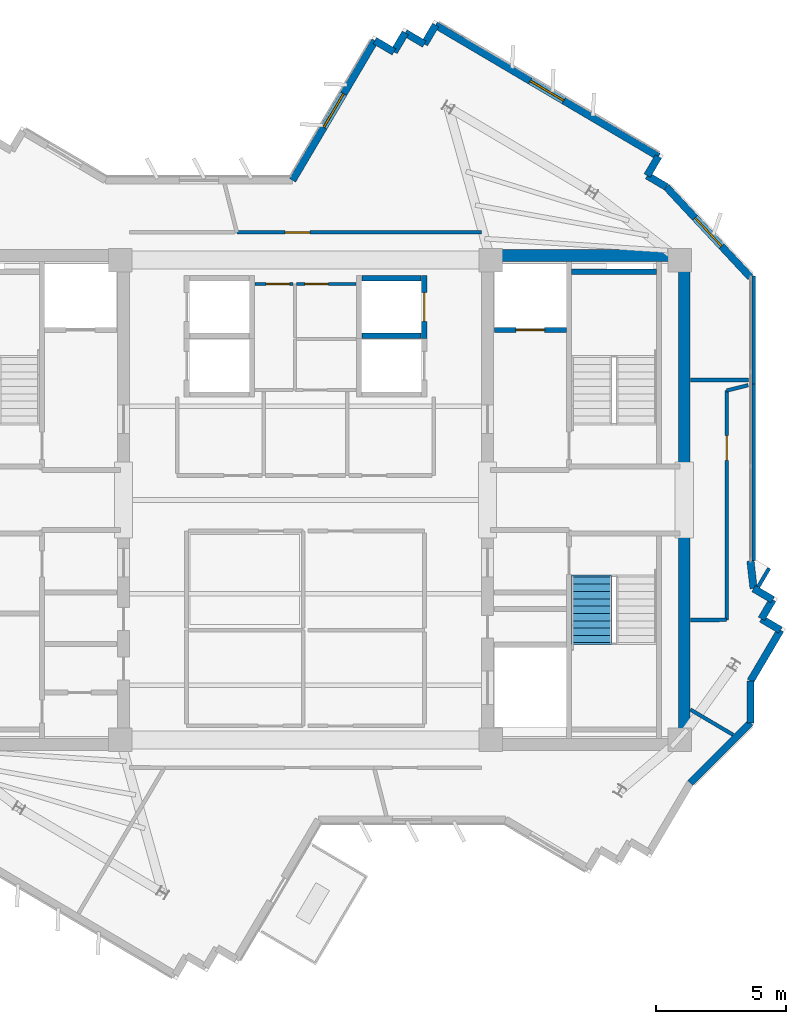
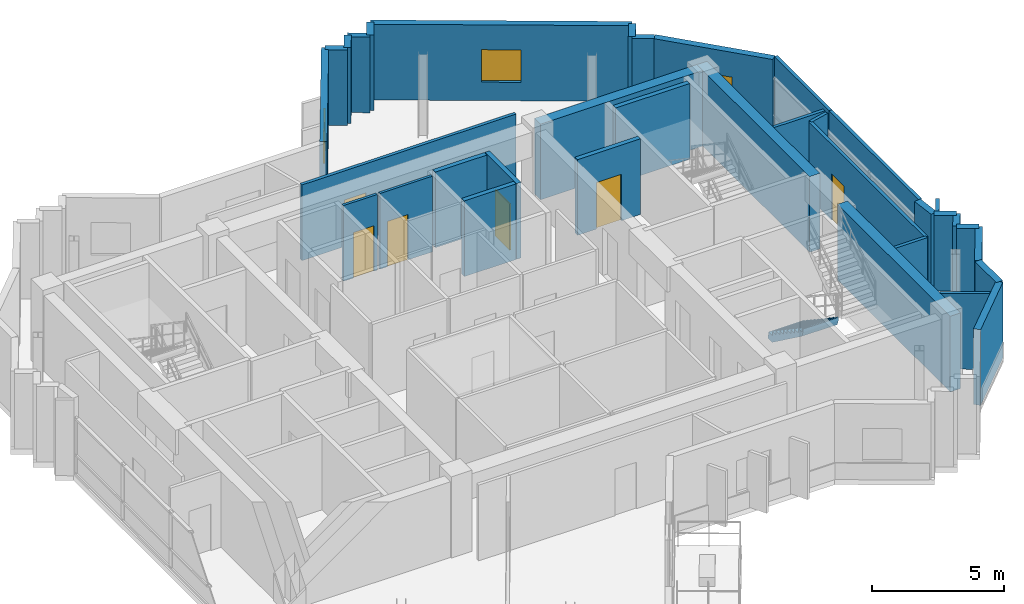
# One storey, part 7 of 10: 35 walls, 6 doors, 3 windows, 1 stair flight, 9 openings, 1 element without a shape of its own.
"""IFC4 building model written with IfcOpenShell, lengths in metres."""

from ifc_helpers import new_model, si_unit, direction, frame, frame_2d, origin, place, context, subcontext, project, spatial, polyline, rectangle, outline, extrude, source, transform, mapped, material, layer, layer_set, type_object, element, fill, aggregate, save


model = new_model("IFC4")

# Units and contexts
model_context = context("Model", 3, precision=1e-05, world=origin(), true_north=direction((0.0, 1.0)))
body_context = subcontext(model_context, "Body", "Model", "MODEL_VIEW")
ifc_project = project(units=[si_unit("LENGTHUNIT", "METRE"), si_unit("AREAUNIT", "SQUARE_METRE"), si_unit("VOLUMEUNIT", "CUBIC_METRE"), si_unit("PLANEANGLEUNIT", "RADIAN"), si_unit("MASSUNIT", "GRAM", prefix="KILO")], contexts=[model_context])

# Site, building, storey
site_placement = place(None, origin())
site = spatial("IfcSite", under=ifc_project, at=site_placement, CompositionType="ELEMENT")
building_placement = place(site_placement, origin())
building = spatial("IfcBuilding", under=site, at=building_placement, Name="Zahravan Cultural Tower", CompositionType="ELEMENT")
storey_placement = place(building_placement, frame((0.0, 0.0, 349.800048828125)))
storey = spatial("IfcBuildingStorey", under=building, at=storey_placement, Name="L85", CompositionType="ELEMENT", Elevation=349.800048828125)

# Wall, opening, window
ifc_material_1 = material(Name="Precast concrete C40/50", Category="concrete")
ifc_layer_1 = layer(ifc_material_1, 0.280029296875)
ifc_layer_set_1 = layer_set([ifc_layer_1], Name="Precast concrete C40/50")
wall_type_1 = type_object("IfcWallType", Name="EW-TC-280", PredefinedType="SOLIDWALL", material=ifc_layer_set_1)
wall_1_placement = place(storey_placement, frame((35.502685546875, 39.260009765625, 0.0), z_axis=(0.0, 0.0, 1.0), x_axis=(0.508266003384, 0.861200133421, 0.0)))
wall_1 = element("IfcWall", 1, at=wall_1_placement, inside=storey, type_object=wall_type_1, Name="L85 Exterior Masonry Frame Wall 01", PredefinedType="SOLIDWALL", context=body_context, shape_type="SweptSolid", body=[
    extrude(rectangle(XDim=6.214599609375, YDim=0.280029296875, at=frame_2d((3.107421875, 0.0))), origin(), (0.0, 0.0, 1.0), 3.5),
])
opening_1_placement = place(wall_1_placement, frame((2.35693359375, 0.0, 0.85009765625)))
opening_1 = element("IfcOpeningElement", 2, at=opening_1_placement, cuts=wall_1, Name="Opening WN-03", PredefinedType="OPENING", context=body_context, shape_type="SweptSolid", body=[
    extrude(rectangle(XDim=1.5, YDim=1.5, at=frame_2d((0.75, 0.75))), frame((0.0, 0.14990234375, 0.0), z_axis=(0.0, -1.0, 0.0), x_axis=(1.0, 0.0, 0.0)), (0.0, 0.0, 1.0), 0.300048828125),
])
ifc_material_2 = material(Name="Low-E solar-control double glazing", Category="glass")
window_type = type_object("IfcWindowType", Name="WN-REC-1500X1500", PartitioningType="SINGLE_PANEL", PredefinedType="WINDOW", material=ifc_material_2)
shared_shape_1 = source(origin(), body_context, "Body", "SweptSolid", [
    extrude(rectangle(XDim=1.5, YDim=1.5, at=frame_2d((0.75, 0.75))), frame((0.0, 0.030029296875, 0.0), z_axis=(0.0, -1.0, 0.0), x_axis=(1.0, 0.0, 0.0)), (0.0, 0.0, 1.0), 0.06005859375),
])
window_1_placement = place(opening_1_placement, origin())
window_1 = element("IfcWindow", 3, at=window_1_placement, inside=storey, type_object=window_type, Name="L85 Recessed Solar Window 01", OverallHeight=1.5, OverallWidth=1.5, PartitioningType="SINGLE_PANEL", PredefinedType="WINDOW", context=body_context, shape_type="MappedRepresentation", body=[
    mapped(shared_shape_1, transform((0.0, 0.0, 0.0), x_axis=(1.0, 0.0, 0.0), y_axis=(0.0, 1.0, 0.0), z_axis=(0.0, 0.0, 1.0), scale=1.0)),
])
fill(opening_1, window_1)

wall_2_placement = place(storey_placement, frame((40.989501953125, 45.2119140625, 0.0), z_axis=(0.0, 0.0, 1.0), x_axis=(0.861192451778, -0.508279018848, 0.0)))
wall_2 = element("IfcWall", 4, at=wall_2_placement, inside=storey, type_object=wall_type_1, Name="L85 Exterior Masonry Frame Wall 06", PredefinedType="SOLIDWALL", context=body_context, shape_type="SweptSolid", body=[
    extrude(rectangle(XDim=9.920166015625, YDim=0.280029296875, at=frame_2d((4.9599609375, 0.0))), origin(), (0.0, 0.0, 1.0), 3.5),
])
opening_2_placement = place(wall_2_placement, frame((4.2099609375, 0.0, 0.85009765625)))
opening_2 = element("IfcOpeningElement", 5, at=opening_2_placement, cuts=wall_2, Name="Opening WN-03", PredefinedType="OPENING", context=body_context, shape_type="SweptSolid", body=[
    extrude(rectangle(XDim=1.5, YDim=1.5, at=frame_2d((0.75, 0.75))), frame((0.0, 0.14990234375, 0.0), z_axis=(0.0, -1.0, 0.0), x_axis=(1.0, 0.0, 0.0)), (0.0, 0.0, 1.0), 0.300048828125),
])
window_2_placement = place(opening_2_placement, origin())
window_2 = element("IfcWindow", 6, at=window_2_placement, inside=storey, type_object=window_type, Name="L85 Recessed Solar Window 02", OverallHeight=1.5, OverallWidth=1.5, PartitioningType="SINGLE_PANEL", PredefinedType="WINDOW", context=body_context, shape_type="MappedRepresentation", body=[
    mapped(shared_shape_1, transform((0.0, 0.0, 0.0), x_axis=(1.0, 0.0, 0.0), y_axis=(0.0, 1.0, 0.0), z_axis=(0.0, 0.0, 1.0), scale=1.0)),
])
fill(opening_2, window_2)

wall_3_placement = place(storey_placement, frame((49.83251953125, 39.005615234375, 0.0), z_axis=(0.0, 0.0, 1.0), x_axis=(0.681733754317, -0.731600361006, 0.0)))
wall_3 = element("IfcWall", 7, at=wall_3_placement, inside=storey, type_object=wall_type_1, Name="L85 Exterior Masonry Frame Wall 09", PredefinedType="SOLIDWALL", context=body_context, shape_type="SweptSolid", body=[
    extrude(rectangle(XDim=4.734375, YDim=0.280029296875, at=frame_2d((2.3671875, 0.0))), origin(), (0.0, 0.0, 1.0), 3.5),
])
opening_3_placement = place(wall_3_placement, frame((1.616943359375, 0.0, 0.85009765625)))
opening_3 = element("IfcOpeningElement", 8, at=opening_3_placement, cuts=wall_3, Name="Opening WN-03", PredefinedType="OPENING", context=body_context, shape_type="SweptSolid", body=[
    extrude(rectangle(XDim=1.5, YDim=1.5, at=frame_2d((0.75, 0.75))), frame((0.0, 0.14990234375, 0.0), z_axis=(0.0, -1.0, 0.0), x_axis=(1.0, 0.0, 0.0)), (0.0, 0.0, 1.0), 0.300048828125),
])
window_3_placement = place(opening_3_placement, origin())
window_3 = element("IfcWindow", 9, at=window_3_placement, inside=storey, type_object=window_type, Name="L85 Recessed Solar Window 03", OverallHeight=1.5, OverallWidth=1.5, PartitioningType="SINGLE_PANEL", PredefinedType="WINDOW", context=body_context, shape_type="MappedRepresentation", body=[
    mapped(shared_shape_1, transform((0.0, 0.0, 0.0), x_axis=(1.0, 0.0, 0.0), y_axis=(0.0, 1.0, 0.0), z_axis=(0.0, 0.0, 1.0), scale=1.0)),
])
fill(opening_3, window_3)

# Wall, opening, door
ifc_material_3 = material(Name="Gypsum plasterboard partition")
ifc_layer_2 = layer(ifc_material_3, 0.139892578125)
ifc_layer_set_2 = layer_set([ifc_layer_2], Name="Gypsum plasterboard partition")
wall_type_2 = type_object("IfcWallType", Name="W-PART-140", PredefinedType="PARTITIONING", material=ifc_layer_set_2)
wall_4_placement = place(storey_placement, frame((52.1474609375, 22.40234375, 0.0), z_axis=(0.0, 0.0, 1.0), x_axis=(0.000277685205, 0.999999961445, 0.0)))
wall_4 = element("IfcWall", 10, at=wall_4_placement, inside=storey, type_object=wall_type_2, Name="L85 Interior Wall 071", PredefinedType="PARTITIONING", context=body_context, shape_type="SweptSolid", body=[
    extrude(rectangle(XDim=8.7919921875, YDim=0.139892578125, at=frame_2d((4.39599609375, 0.0))), origin(), (0.0, 0.0, 1.0), 3.5),
])
opening_4_placement = place(wall_4_placement, frame((6.11669921875, 0.0, 0.0)))
opening_4 = element("IfcOpeningElement", 11, at=opening_4_placement, cuts=wall_4, Name="Opening D-L85-28", PredefinedType="OPENING", context=body_context, shape_type="SweptSolid", body=[
    extrude(rectangle(XDim=0.949951171875, YDim=2.14990234375, at=frame_2d((0.47509765625, 1.074951171875))), frame((0.0, 0.079833984375, 0.0), z_axis=(0.0, -1.0, 0.0), x_axis=(1.0, 0.0, 0.0)), (0.0, 0.0, 1.0), 0.159912109375),
])
ifc_material_4 = material(Name="Anodised bronze-aluminium mullion", Category="aluminium")
door_type_1 = type_object("IfcDoorType", Name="DR-ROOM-950", OperationType="NOTDEFINED", PredefinedType="DOOR", material=ifc_material_4)
shared_shape_2 = source(origin(), body_context, "Body", "SweptSolid", [
    extrude(rectangle(XDim=0.949951171875, YDim=2.14990234375, at=frame_2d((0.47509765625, 1.074951171875))), frame((0.0, 0.02490234375, 0.0), z_axis=(0.0, -1.0, 0.0), x_axis=(1.0, 0.0, 0.0)), (0.0, 0.0, 1.0), 0.050048828125),
])
door_1_placement = place(opening_4_placement, origin())
door_1 = element("IfcDoor", 12, at=door_1_placement, inside=storey, type_object=door_type_1, Name="L85 Door D-L85-28", OperationType="SINGLE_SWING_LEFT", OverallHeight=2.14990234375, OverallWidth=0.949951171875, PredefinedType="DOOR", context=body_context, shape_type="MappedRepresentation", body=[
    mapped(shared_shape_2, transform((0.0, 0.0, 0.0), x_axis=(1.0, 0.0, 0.0), y_axis=(0.0, 1.0, 0.0), z_axis=(0.0, 0.0, 1.0), scale=1.0)),
])
fill(opening_4, door_1)

wall_5_placement = place(storey_placement, frame((42.742431640625, 37.259765625, 0.0), z_axis=(0.0, 0.0, 1.0), x_axis=(-0.999999999661, 2.6043023e-05, 0.0)))
wall_5 = element("IfcWall", 13, at=wall_5_placement, inside=storey, type_object=wall_type_2, Name="L85 Interior Wall 089", PredefinedType="PARTITIONING", context=body_context, shape_type="SweptSolid", body=[
    extrude(rectangle(XDim=9.37451171875, YDim=0.139892578125, at=frame_2d((4.687255859375, 0.0))), origin(), (0.0, 0.0, 1.0), 3.5),
])
opening_5_placement = place(wall_5_placement, frame((6.571044921875, 0.0, 0.0)))
opening_5 = element("IfcOpeningElement", 14, at=opening_5_placement, cuts=wall_5, Name="Opening D-L85-23", PredefinedType="OPENING", context=body_context, shape_type="SweptSolid", body=[
    extrude(rectangle(XDim=0.949951171875, YDim=2.14990234375, at=frame_2d((0.47509765625, 1.074951171875))), frame((0.0, 0.079833984375, 0.0), z_axis=(0.0, -1.0, 0.0), x_axis=(1.0, 0.0, 0.0)), (0.0, 0.0, 1.0), 0.159912109375),
])
door_2_placement = place(opening_5_placement, origin())
door_2 = element("IfcDoor", 15, at=door_2_placement, inside=storey, type_object=door_type_1, Name="L85 Door D-L85-23", OperationType="SINGLE_SWING_RIGHT", OverallHeight=2.14990234375, OverallWidth=0.949951171875, PredefinedType="DOOR", context=body_context, shape_type="MappedRepresentation", body=[
    mapped(shared_shape_2, transform((0.0, 0.0, 0.0), x_axis=(1.0, 0.0, 0.0), y_axis=(0.0, 1.0, 0.0), z_axis=(0.0, 0.0, 1.0), scale=1.0)),
])
fill(opening_5, door_2)

ifc_material_5 = material(Name="Concrete C45/55", Category="concrete")
ifc_layer_3 = layer(ifc_material_5, 0.199951171875)
ifc_layer_set_3 = layer_set([ifc_layer_3], Name="Concrete C45/55")
wall_type_3 = type_object("IfcWallType", Name="W-SHAFT-200", PredefinedType="SOLIDWALL", material=ifc_layer_set_3)
wall_6_placement = place(storey_placement, frame((43.25, 33.52001953125, 0.0), z_axis=(0.0, 0.0, 1.0), x_axis=(1.0, 0.0, 0.0)))
wall_6 = element("IfcWall", 16, at=wall_6_placement, inside=storey, type_object=wall_type_3, Name="L85 Interior Wall 023", PredefinedType="SOLIDWALL", context=body_context, shape_type="SweptSolid", body=[
    extrude(rectangle(XDim=2.75, YDim=0.199951171875, at=frame_2d((1.375, 0.0))), origin(), (0.0, 0.0, 1.0), 3.5),
])
opening_6_placement = place(wall_6_placement, frame((0.820068359375, 0.0, 0.0)))
opening_6 = element("IfcOpeningElement", 17, at=opening_6_placement, cuts=wall_6, Name="Opening LD-L85-02", PredefinedType="OPENING", context=body_context, shape_type="SweptSolid", body=[
    extrude(rectangle(XDim=1.10009765625, YDim=2.14990234375, at=frame_2d((0.550048828125, 1.074951171875))), frame((0.0, 0.10986328125, 0.0), z_axis=(0.0, -1.0, 0.0), x_axis=(1.0, 0.0, 0.0)), (0.0, 0.0, 1.0), 0.219970703125),
])
ifc_material_6 = material(Name="Steel ASTM A572 Grade 50", Category="steel")
door_type_2 = type_object("IfcDoorType", Name="DR-LIFT-1100", OperationType="DOUBLE_DOOR_SLIDING", PredefinedType="DOOR", material=ifc_material_6)
shared_shape_3 = source(origin(), body_context, "Body", "SweptSolid", [
    extrude(rectangle(XDim=1.10009765625, YDim=2.14990234375, at=frame_2d((0.550048828125, 1.074951171875))), frame((0.0, 0.02490234375, 0.0), z_axis=(0.0, -1.0, 0.0), x_axis=(1.0, 0.0, 0.0)), (0.0, 0.0, 1.0), 0.050048828125),
])
door_3_placement = place(opening_6_placement, origin())
door_3 = element("IfcDoor", 18, at=door_3_placement, inside=storey, type_object=door_type_2, Name="L85 Door LD-L85-02", OperationType="DOUBLE_DOOR_SLIDING", OverallHeight=2.14990234375, OverallWidth=1.10009765625, PredefinedType="DOOR", context=body_context, shape_type="MappedRepresentation", body=[
    mapped(shared_shape_3, transform((0.0, 0.0, 0.0), x_axis=(1.0, 0.0, 0.0), y_axis=(0.0, 1.0, 0.0), z_axis=(0.0, 0.0, 1.0), scale=1.0)),
])
fill(opening_6, door_3)

wall_7_placement = place(storey_placement, frame((40.550048828125, 33.199951171875, 0.0), z_axis=(0.0, 0.0, 1.0), x_axis=(0.0, 1.0, 0.0)))
wall_7 = element("IfcWall", 19, at=wall_7_placement, inside=storey, type_object=wall_type_3, Name="L85 Interior Wall 038", PredefinedType="SOLIDWALL", context=body_context, shape_type="SweptSolid", body=[
    extrude(rectangle(XDim=2.400146484375, YDim=0.199951171875, at=frame_2d((1.2001953125, 0.0))), origin(), (0.0, 0.0, 1.0), 3.5),
])
opening_7_placement = place(wall_7_placement, frame((0.64990234375, 0.0, 0.0)))
opening_7 = element("IfcOpeningElement", 20, at=opening_7_placement, cuts=wall_7, Name="Opening LD-L85-06", PredefinedType="OPENING", context=body_context, shape_type="SweptSolid", body=[
    extrude(rectangle(XDim=1.10009765625, YDim=2.14990234375, at=frame_2d((0.550048828125, 1.074951171875))), frame((0.0, 0.10986328125, 0.0), z_axis=(0.0, -1.0, 0.0), x_axis=(1.0, 0.0, 0.0)), (0.0, 0.0, 1.0), 0.219970703125),
])
door_4_placement = place(opening_7_placement, origin())
door_4 = element("IfcDoor", 21, at=door_4_placement, inside=storey, type_object=door_type_2, Name="L85 Door LD-L85-06", OperationType="DOUBLE_DOOR_SLIDING", OverallHeight=2.14990234375, OverallWidth=1.10009765625, PredefinedType="DOOR", context=body_context, shape_type="MappedRepresentation", body=[
    mapped(shared_shape_3, transform((0.0, 0.0, 0.0), x_axis=(1.0, 0.0, 0.0), y_axis=(0.0, 1.0, 0.0), z_axis=(0.0, 0.0, 1.0), scale=1.0)),
])
fill(opening_7, door_4)

ifc_layer_4 = layer(ifc_material_3, 0.114990234375)
ifc_layer_set_4 = layer_set([ifc_layer_4], Name="Gypsum plasterboard partition")
wall_type_4 = type_object("IfcWallType", Name="W-WC-115", PredefinedType="PARTITIONING", material=ifc_layer_set_4)
wall_8_placement = place(storey_placement, frame((35.652587890625, 35.280029296875, 0.0), z_axis=(0.0, 0.0, 1.0), x_axis=(1.0, 0.0, 0.0)))
wall_8 = element("IfcWall", 22, at=wall_8_placement, inside=storey, type_object=wall_type_4, Name="L85 Interior Wall 048", PredefinedType="PARTITIONING", context=body_context, shape_type="SweptSolid", body=[
    extrude(rectangle(XDim=2.29248046875, YDim=0.114990234375, at=frame_2d((1.146240234375, 0.0))), origin(), (0.0, 0.0, 1.0), 3.5),
])
opening_8_placement = place(wall_8_placement, frame((0.3203125, 0.0, 0.0)))
opening_8 = element("IfcOpeningElement", 23, at=opening_8_placement, cuts=wall_8, Name="Opening D-L85-19", PredefinedType="OPENING", context=body_context, shape_type="SweptSolid", body=[
    extrude(rectangle(XDim=0.89990234375, YDim=2.10009765625, at=frame_2d((0.449951171875, 1.050048828125))), frame((0.0, 0.0673828125, 0.0), z_axis=(0.0, -1.0, 0.0), x_axis=(1.0, 0.0, 0.0)), (0.0, 0.0, 1.0), 0.135009765625),
])
door_type_3 = type_object("IfcDoorType", Name="DR-WC-900", OperationType="NOTDEFINED", PredefinedType="DOOR", material=ifc_material_4)
shared_shape_4 = source(origin(), body_context, "Body", "SweptSolid", [
    extrude(rectangle(XDim=0.89990234375, YDim=2.10009765625, at=frame_2d((0.449951171875, 1.050048828125))), frame((0.0, 0.02490234375, 0.0), z_axis=(0.0, -1.0, 0.0), x_axis=(1.0, 0.0, 0.0)), (0.0, 0.0, 1.0), 0.050048828125),
])
door_5_placement = place(opening_8_placement, origin())
door_5 = element("IfcDoor", 24, at=door_5_placement, inside=storey, type_object=door_type_3, Name="L85 Door D-L85-19", OperationType="SINGLE_SWING_RIGHT", OverallHeight=2.10009765625, OverallWidth=0.89990234375, PredefinedType="DOOR", context=body_context, shape_type="MappedRepresentation", body=[
    mapped(shared_shape_4, transform((0.0, 0.0, 0.0), x_axis=(1.0, 0.0, 0.0), y_axis=(0.0, 1.0, 0.0), z_axis=(0.0, 0.0, 1.0), scale=1.0)),
])
fill(opening_8, door_5)

wall_9_placement = place(storey_placement, frame((34.054931640625, 35.280029296875, 0.0), z_axis=(0.0, 0.0, 1.0), x_axis=(1.0, 0.0, 0.0)))
wall_9 = element("IfcWall", 25, at=wall_9_placement, inside=storey, type_object=wall_type_4, Name="L85 Interior Wall 050", PredefinedType="PARTITIONING", context=body_context, shape_type="SweptSolid", body=[
    extrude(rectangle(XDim=1.47265625, YDim=0.114990234375, at=frame_2d((0.736328125, 0.0))), origin(), (0.0, 0.0, 1.0), 3.5),
])
opening_9_placement = place(wall_9_placement, frame((0.4326171875, 0.0, 0.0)))
opening_9 = element("IfcOpeningElement", 26, at=opening_9_placement, cuts=wall_9, Name="Opening D-L85-18", PredefinedType="OPENING", context=body_context, shape_type="SweptSolid", body=[
    extrude(rectangle(XDim=0.89990234375, YDim=2.10009765625, at=frame_2d((0.449951171875, 1.050048828125))), frame((0.0, 0.0673828125, 0.0), z_axis=(0.0, -1.0, 0.0), x_axis=(1.0, 0.0, 0.0)), (0.0, 0.0, 1.0), 0.135009765625),
])
door_6_placement = place(opening_9_placement, origin())
door_6 = element("IfcDoor", 27, at=door_6_placement, inside=storey, type_object=door_type_3, Name="L85 Door D-L85-18", OperationType="SINGLE_SWING_LEFT", OverallHeight=2.10009765625, OverallWidth=0.89990234375, PredefinedType="DOOR", context=body_context, shape_type="MappedRepresentation", body=[
    mapped(shared_shape_4, transform((0.0, 0.0, 0.0), x_axis=(1.0, 0.0, 0.0), y_axis=(0.0, 1.0, 0.0), z_axis=(0.0, 0.0, 1.0), scale=1.0)),
])
fill(opening_9, door_6)

# Walls
ifc_material_7 = material(Name="Concrete C50/60", Category="concrete")
ifc_layer_5 = layer(ifc_material_7, 0.449951171875)
ifc_layer_set_5 = layer_set([ifc_layer_5], Name="Concrete C50/60")
wall_type_5 = type_object("IfcWallType", Name="CW-SHEAR-450-C50", PredefinedType="SHEAR", material=ifc_layer_set_5)
shared_shape_5 = source(origin(), body_context, "Body", "SweptSolid", [
    extrude(rectangle(XDim=8.550048828125, YDim=0.449951171875, at=frame_2d((4.27490234375, 0.0))), origin(), (0.0, 0.0, 1.0), 3.5),
])
for number, where, z_axis, x_axis, name in (
    (28, (50.52490234375, 17.39990234375, 0.0), (0.0, 0.0, 1.0), (0.0, 1.0, 0.0), "L85 Core Shear Wall CW-E-ES-L85"),
    (29, (50.52490234375, 28.050048828125, 0.0), (0.0, 0.0, 1.0), (0.0, 1.0, 0.0), "L85 Core Shear Wall CW-E-EN-L85"),
):
    element("IfcWall", number, at=place(storey_placement, frame(where, z_axis=z_axis, x_axis=x_axis)), inside=storey, type_object=wall_type_5, Name=name, PredefinedType="SHEAR", context=body_context, shape_type="MappedRepresentation", body=[
        mapped(shared_shape_5, transform((0.0, 0.0, 0.0), x_axis=(1.0, 0.0, 0.0), y_axis=(0.0, 1.0, 0.0), z_axis=(0.0, 0.0, 1.0), scale=1.0)),
    ])
shared_shape_6 = source(origin(), body_context, "Body", "SweptSolid", [
    extrude(rectangle(XDim=7.10009765625, YDim=0.449951171875, at=frame_2d((3.550048828125, 0.0))), origin(), (0.0, 0.0, 1.0), 3.5),
])
wall_10_placement = place(storey_placement, frame((43.199951171875, 36.375, 0.0), z_axis=(0.0, 0.0, 1.0), x_axis=(1.0, 0.0, 0.0)))
element("IfcWall", 30, at=wall_10_placement, inside=storey, type_object=wall_type_5, Name="L85 Core Shear Wall CW-E-N-L85", PredefinedType="SHEAR", context=body_context, shape_type="MappedRepresentation", body=[
    mapped(shared_shape_6, transform((0.0, 0.0, 0.0), x_axis=(1.0, 0.0, 0.0), y_axis=(0.0, 1.0, 0.0), z_axis=(0.0, 0.0, 1.0), scale=1.0)),
])
shared_shape_7 = source(origin(), body_context, "Body", "SweptSolid", [
    extrude(rectangle(XDim=0.85009765625, YDim=0.280029296875, at=frame_2d((0.425048828125, 0.0))), origin(), (0.0, 0.0, 1.0), 3.5),
])
for number, where, z_axis, x_axis, name in (
    (31, (38.661376953125, 44.612060546875, 0.0), (0.0, 0.0, 1.0), (0.861195099131, -0.508274533332, 0.0), "L85 Exterior Masonry Frame Wall 02"),
    (32, (39.3935546875, 44.179931640625, 0.0), (0.0, 0.0, 1.0), (0.508061511919, 0.861320788154, 0.0), "L85 Exterior Masonry Frame Wall 03"),
    (33, (39.825439453125, 44.912109375, 0.0), (0.0, 0.0, 1.0), (0.861195099131, -0.508274533332, 0.0), "L85 Exterior Masonry Frame Wall 04"),
    (34, (49.53271484375, 40.169677734375, 0.0), (0.0, 0.0, 1.0), (-0.508400256027, -0.861120885632, 0.0), "L85 Exterior Masonry Frame Wall 07"),
    (35, (49.1005859375, 39.437744140625, 0.0), (0.0, 0.0, 1.0), (0.861120885632, -0.508400256027, 0.0), "L85 Exterior Masonry Frame Wall 08"),
    (36, (53.179931640625, 23.6064453125, 0.0), (0.0, 0.0, 1.0), (0.861320788154, -0.508061511919, 0.0), "L85 Exterior Masonry Frame Wall 11"),
    (37, (53.912109375, 23.174560546875, 0.0), (0.0, 0.0, 1.0), (-0.508274533332, -0.861195099131, 0.0), "L85 Exterior Masonry Frame Wall 12"),
):
    element("IfcWall", number, at=place(storey_placement, frame(where, z_axis=z_axis, x_axis=x_axis)), inside=storey, type_object=wall_type_1, Name=name, PredefinedType="SOLIDWALL", context=body_context, shape_type="MappedRepresentation", body=[
        mapped(shared_shape_7, transform((0.0, 0.0, 0.0), x_axis=(1.0, 0.0, 0.0), y_axis=(0.0, 1.0, 0.0), z_axis=(0.0, 0.0, 1.0), scale=1.0)),
    ])
shared_shape_8 = source(origin(), body_context, "Body", "SweptSolid", [
    extrude(rectangle(XDim=0.849853515625, YDim=0.280029296875, at=frame_2d((0.4248046875, 0.0))), origin(), (0.0, 0.0, 1.0), 3.5),
])
for number, where, z_axis, x_axis, name in (
    (38, (40.5576171875, 44.47998046875, 0.0), (0.0, 0.0, 1.0), (0.508187218622, 0.861246626019, 0.0), "L85 Exterior Masonry Frame Wall 05"),
    (39, (53.47998046875, 22.4423828125, 0.0), (0.0, 0.0, 1.0), (0.861246626019, -0.508187218622, 0.0), "L85 Exterior Masonry Frame Wall 13"),
):
    element("IfcWall", number, at=place(storey_placement, frame(where, z_axis=z_axis, x_axis=x_axis)), inside=storey, type_object=wall_type_1, Name=name, PredefinedType="SOLIDWALL", context=body_context, shape_type="MappedRepresentation", body=[
        mapped(shared_shape_8, transform((0.0, 0.0, 0.0), x_axis=(1.0, 0.0, 0.0), y_axis=(0.0, 1.0, 0.0), z_axis=(0.0, 0.0, 1.0), scale=1.0)),
    ])
shared_shape_9 = source(origin(), body_context, "Body", "SweptSolid", [
    extrude(rectangle(XDim=1.064697265625, YDim=0.280029296875, at=frame_2d((0.5322265625, 0.0))), origin(), (0.0, 0.0, 1.0), 3.5),
])
wall_11_placement = place(storey_placement, frame((53.06005859375, 24.664306640625, 0.0), z_axis=(0.0, 0.0, 1.0), x_axis=(0.112595815397, -0.993640871923, 0.0)))
element("IfcWall", 40, at=wall_11_placement, inside=storey, type_object=wall_type_1, Name="L85 Exterior Masonry Frame Wall 10", PredefinedType="SOLIDWALL", context=body_context, shape_type="MappedRepresentation", body=[
    mapped(shared_shape_9, transform((0.0, 0.0, 0.0), x_axis=(1.0, 0.0, 0.0), y_axis=(0.0, 1.0, 0.0), z_axis=(0.0, 0.0, 1.0), scale=1.0)),
])
shared_shape_10 = source(origin(), body_context, "Body", "SweptSolid", [
    extrude(rectangle(XDim=2.266357421875, YDim=0.280029296875, at=frame_2d((1.13330078125, 0.0))), origin(), (0.0, 0.0, 1.0), 3.5),
])
wall_12_placement = place(storey_placement, frame((54.2119140625, 22.010498046875, 0.0), z_axis=(0.0, 0.0, 1.0), x_axis=(-0.508224770074, -0.861224467304, 0.0)))
element("IfcWall", 41, at=wall_12_placement, inside=storey, type_object=wall_type_1, Name="L85 Exterior Masonry Frame Wall 14", PredefinedType="SOLIDWALL", context=body_context, shape_type="MappedRepresentation", body=[
    mapped(shared_shape_10, transform((0.0, 0.0, 0.0), x_axis=(1.0, 0.0, 0.0), y_axis=(0.0, 1.0, 0.0), z_axis=(0.0, 0.0, 1.0), scale=1.0)),
])
shared_shape_11 = source(origin(), body_context, "Body", "SweptSolid", [
    extrude(rectangle(XDim=1.6005859375, YDim=0.280029296875, at=frame_2d((0.80029296875, 0.0))), origin(), (0.0, 0.0, 1.0), 3.5),
])
wall_13_placement = place(storey_placement, frame((53.06005859375, 20.05859375, 0.0), z_axis=(0.0, 0.0, 1.0), x_axis=(0.0, -1.0, 0.0)))
element("IfcWall", 42, at=wall_13_placement, inside=storey, type_object=wall_type_1, Name="L85 Exterior Masonry Frame Wall 15", PredefinedType="SOLIDWALL", context=body_context, shape_type="MappedRepresentation", body=[
    mapped(shared_shape_11, transform((0.0, 0.0, 0.0), x_axis=(1.0, 0.0, 0.0), y_axis=(0.0, 1.0, 0.0), z_axis=(0.0, 0.0, 1.0), scale=1.0)),
])
shared_shape_12 = source(origin(), body_context, "Body", "SweptSolid", [
    extrude(rectangle(XDim=3.2607421875, YDim=0.280029296875, at=frame_2d((1.63037109375, 0.0))), origin(), (0.0, 0.0, 1.0), 3.5),
])
wall_14_placement = place(storey_placement, frame((53.06005859375, 18.4580078125, 0.0), z_axis=(0.0, 0.0, 1.0), x_axis=(-0.707106781187, -0.707106781187, 0.0)))
element("IfcWall", 43, at=wall_14_placement, inside=storey, type_object=wall_type_1, Name="L85 Exterior Masonry Frame Wall 16", PredefinedType="SOLIDWALL", context=body_context, shape_type="MappedRepresentation", body=[
    mapped(shared_shape_12, transform((0.0, 0.0, 0.0), x_axis=(1.0, 0.0, 0.0), y_axis=(0.0, 1.0, 0.0), z_axis=(0.0, 0.0, 1.0), scale=1.0)),
])
shared_shape_13 = source(origin(), body_context, "Body", "SweptSolid", [
    extrude(rectangle(XDim=3.25, YDim=0.199951171875, at=frame_2d((1.625, 0.0))), origin(), (0.0, 0.0, 1.0), 3.5),
])
wall_15_placement = place(storey_placement, frame((46.199951171875, 35.75, 0.0), z_axis=(0.0, 0.0, 1.0), x_axis=(1.0, 0.0, 0.0)))
element("IfcWall", 44, at=wall_15_placement, inside=storey, type_object=wall_type_3, Name="L85 Interior Wall 018", PredefinedType="SOLIDWALL", context=body_context, shape_type="MappedRepresentation", body=[
    mapped(shared_shape_13, transform((0.0, 0.0, 0.0), x_axis=(1.0, 0.0, 0.0), y_axis=(0.0, 1.0, 0.0), z_axis=(0.0, 0.0, 1.0), scale=1.0)),
])
shared_shape_14 = source(origin(), body_context, "Body", "SweptSolid", [
    extrude(rectangle(XDim=2.260009765625, YDim=0.199951171875, at=frame_2d((1.1298828125, 0.0))), origin(), (0.0, 0.0, 1.0), 3.5),
])
for number, where, z_axis, x_axis, name in (
    (45, (38.169921875, 33.300048828125, 0.0), (0.0, 0.0, 1.0), (1.0, 0.0, 0.0), "L85 Interior Wall 039"),
    (46, (38.169921875, 35.5, 0.0), (0.0, 0.0, 1.0), (1.0, 0.0, 0.0), "L85 Interior Wall 040"),
):
    element("IfcWall", number, at=place(storey_placement, frame(where, z_axis=z_axis, x_axis=x_axis)), inside=storey, type_object=wall_type_3, Name=name, PredefinedType="SOLIDWALL", context=body_context, shape_type="MappedRepresentation", body=[
        mapped(shared_shape_14, transform((0.0, 0.0, 0.0), x_axis=(1.0, 0.0, 0.0), y_axis=(0.0, 1.0, 0.0), z_axis=(0.0, 0.0, 1.0), scale=1.0)),
    ])
shared_shape_15 = source(origin(), body_context, "Body", "SweptSolid", [
    extrude(rectangle(XDim=2.22265625, YDim=0.139892578125, at=frame_2d((1.111328125, 0.0))), origin(), (0.0, 0.0, 1.0), 3.5),
])
wall_16_placement = place(storey_placement, frame((52.9775390625, 31.598388671875, 0.0), z_axis=(0.0, 0.0, 1.0), x_axis=(-0.999999704402, 0.000768892567, 0.0)))
element("IfcWall", 47, at=wall_16_placement, inside=storey, type_object=wall_type_2, Name="L85 Interior Wall 088", PredefinedType="PARTITIONING", context=body_context, shape_type="MappedRepresentation", body=[
    mapped(shared_shape_15, transform((0.0, 0.0, 0.0), x_axis=(1.0, 0.0, 0.0), y_axis=(0.0, 1.0, 0.0), z_axis=(0.0, 0.0, 1.0), scale=1.0)),
])
shared_shape_16 = source(origin(), body_context, "Body", "SweptSolid", [
    extrude(rectangle(XDim=1.392578125, YDim=0.139892578125, at=frame_2d((0.6962890625, 0.0))), origin(), (0.0, 0.0, 1.0), 3.5),
])
wall_17_placement = place(storey_placement, frame((50.7548828125, 22.400146484375, 0.0), z_axis=(0.0, 0.0, 1.0), x_axis=(0.999998755213, 0.001577838148, 0.0)))
element("IfcWall", 48, at=wall_17_placement, inside=storey, type_object=wall_type_2, Name="L85 Interior Wall 070", PredefinedType="PARTITIONING", context=body_context, shape_type="MappedRepresentation", body=[
    mapped(shared_shape_16, transform((0.0, 0.0, 0.0), x_axis=(1.0, 0.0, 0.0), y_axis=(0.0, 1.0, 0.0), z_axis=(0.0, 0.0, 1.0), scale=1.0)),
])
shared_shape_17 = source(origin(), body_context, "Body", "SweptSolid", [
    extrude(rectangle(XDim=0.847900390625, YDim=0.139892578125, at=frame_2d((0.423828125, 0.0))), origin(), (0.0, 0.0, 1.0), 3.5),
])
wall_18_placement = place(storey_placement, frame((52.14990234375, 31.1943359375, 0.0), z_axis=(0.0, 0.0, 1.0), x_axis=(0.969955921728, 0.243280722428, 0.0)))
element("IfcWall", 49, at=wall_18_placement, inside=storey, type_object=wall_type_2, Name="L85 Interior Wall 072", PredefinedType="PARTITIONING", context=body_context, shape_type="MappedRepresentation", body=[
    mapped(shared_shape_17, transform((0.0, 0.0, 0.0), x_axis=(1.0, 0.0, 0.0), y_axis=(0.0, 1.0, 0.0), z_axis=(0.0, 0.0, 1.0), scale=1.0)),
])
shared_shape_18 = source(origin(), body_context, "Body", "SweptSolid", [
    extrude(rectangle(XDim=6.779541015625, YDim=0.139892578125, at=frame_2d((3.3896484375, 0.0))), origin(), (0.0, 0.0, 1.0), 3.5),
])
wall_19_placement = place(storey_placement, frame((53.179931640625, 31.45263671875, 0.0), z_axis=(0.0, 0.0, 1.0), x_axis=(7.2022759e-05, -0.999999997406, 0.0)))
element("IfcWall", 50, at=wall_19_placement, inside=storey, type_object=wall_type_2, Name="L85 Interior Wall 073", PredefinedType="PARTITIONING", context=body_context, shape_type="MappedRepresentation", body=[
    mapped(shared_shape_18, transform((0.0, 0.0, 0.0), x_axis=(1.0, 0.0, 0.0), y_axis=(0.0, 1.0, 0.0), z_axis=(0.0, 0.0, 1.0), scale=1.0)),
])
shared_shape_19 = source(origin(), body_context, "Body", "SweptSolid", [
    extrude(rectangle(XDim=0.824951171875, YDim=0.139892578125, at=frame_2d((0.41259765625, 0.0))), origin(), (0.0, 0.0, 1.0), 3.5),
])
wall_20_placement = place(storey_placement, frame((53.776123046875, 24.381103515625, 0.0), z_axis=(0.0, 0.0, 1.0), x_axis=(-0.507472658058, -0.861667860213, 0.0)))
element("IfcWall", 51, at=wall_20_placement, inside=storey, type_object=wall_type_2, Name="L85 Interior Wall 074", PredefinedType="PARTITIONING", context=body_context, shape_type="MappedRepresentation", body=[
    mapped(shared_shape_19, transform((0.0, 0.0, 0.0), x_axis=(1.0, 0.0, 0.0), y_axis=(0.0, 1.0, 0.0), z_axis=(0.0, 0.0, 1.0), scale=1.0)),
])
shared_shape_20 = source(origin(), body_context, "Body", "SweptSolid", [
    extrude(rectangle(XDim=1.903564453125, YDim=0.139892578125, at=frame_2d((0.95166015625, 0.0))), origin(), (0.0, 0.0, 1.0), 3.5),
])
wall_21_placement = place(storey_placement, frame((52.394287109375, 17.997314453125, 0.0), z_axis=(0.0, 0.0, 1.0), x_axis=(-0.86120470185, 0.508258262611, 0.0)))
element("IfcWall", 52, at=wall_21_placement, inside=storey, type_object=wall_type_2, Name="L85 Interior Wall 075", PredefinedType="PARTITIONING", context=body_context, shape_type="MappedRepresentation", body=[
    mapped(shared_shape_20, transform((0.0, 0.0, 0.0), x_axis=(1.0, 0.0, 0.0), y_axis=(0.0, 1.0, 0.0), z_axis=(0.0, 0.0, 1.0), scale=1.0)),
])
shared_shape_21 = source(origin(), body_context, "Body", "SweptSolid", [
    extrude(rectangle(XDim=4.13916015625, YDim=0.139892578125, at=frame_2d((2.069580078125, 0.0))), origin(), (0.0, 0.0, 1.0), 3.5),
])
wall_22_placement = place(storey_placement, frame((53.179931640625, 35.591796875, 0.0), z_axis=(0.0, 0.0, 1.0), x_axis=(0.0, -1.0, 0.0)))
element("IfcWall", 53, at=wall_22_placement, inside=storey, type_object=wall_type_2, Name="L85 Interior Wall 090", PredefinedType="PARTITIONING", context=body_context, shape_type="MappedRepresentation", body=[
    mapped(shared_shape_21, transform((0.0, 0.0, 0.0), x_axis=(1.0, 0.0, 0.0), y_axis=(0.0, 1.0, 0.0), z_axis=(0.0, 0.0, 1.0), scale=1.0)),
])

# Stair, stair flight
stair_type = type_object("IfcStairType", Name="STR-DL-1550-375", PredefinedType="HALF_TURN_STAIR", material=ifc_material_5)
stair_placement = place(storey_placement, origin())
stair = element("IfcStair", 54, at=stair_placement, inside=storey, type_object=stair_type, Name="L85 East Core South Exit Stair ST-E2", PredefinedType="HALF_TURN_STAIR")
stair_flight_type = type_object("IfcStairFlightType", Name="FLG-DL-1550-375", PredefinedType="STRAIGHT", material=ifc_material_5)
stair_flight_placement = place(storey_placement, frame((46.97509765625, 24.050048828125, 0.0), z_axis=(0.0, 0.0, 1.0), x_axis=(0.0, -1.0, 0.0)))
stair_flight = element("IfcStairFlight", 55, at=stair_flight_placement, type_object=stair_flight_type, Name="ST-E2 flight 1", NumberOfRisers=10, NumberOfTreads=9, PredefinedType="STRAIGHT", RiserHeight=0.1875, TreadLength=0.28, context=body_context, shape_type="SweptSolid", body=[
    extrude(outline(polyline([(-0.06494140625, -0.139892578125), (-0.06494140625, 0.0), (0.0, 0.0), (0.0, 0.1875), (0.280029296875, 0.1875), (0.280029296875, 0.375), (0.56005859375, 0.375), (0.56005859375, 0.5625), (0.840087890625, 0.5625), (0.840087890625, 0.75), (1.1201171875, 0.75), (1.1201171875, 0.9375), (1.39990234375, 0.9375), (1.39990234375, 1.125), (1.679931640625, 1.125), (1.679931640625, 1.3125), (1.9599609375, 1.3125), (1.9599609375, 1.5), (2.239990234375, 1.5), (2.239990234375, 1.6875), (2.52001953125, 1.6875), (2.52001953125, 1.875), (2.5849609375, 1.875), (2.5849609375, 1.72509765625), (2.52001953125, 1.507080078125), (0.26953125, -0.139892578125), (-0.06494140625, -0.139892578125)])), frame((0.0, 0.77490234375, 0.0), z_axis=(0.0, -1.0, 0.0), x_axis=(1.0, 0.0, 0.0)), (0.0, 0.0, 1.0), 1.550048828125),
])
aggregate(stair, [stair_flight])

save(model, "model.ifc")
